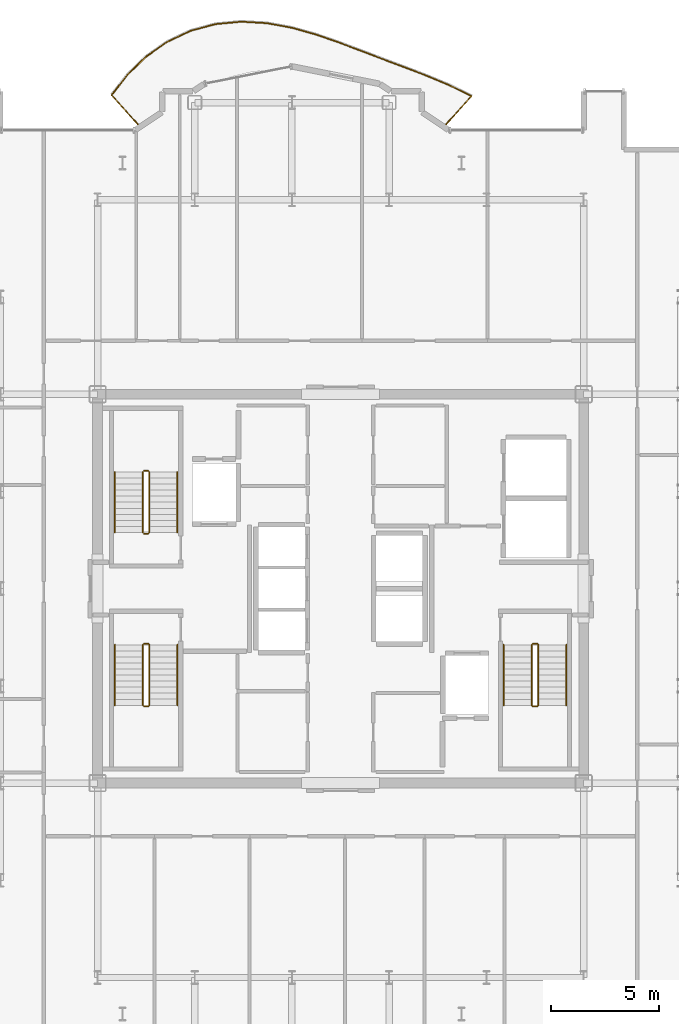
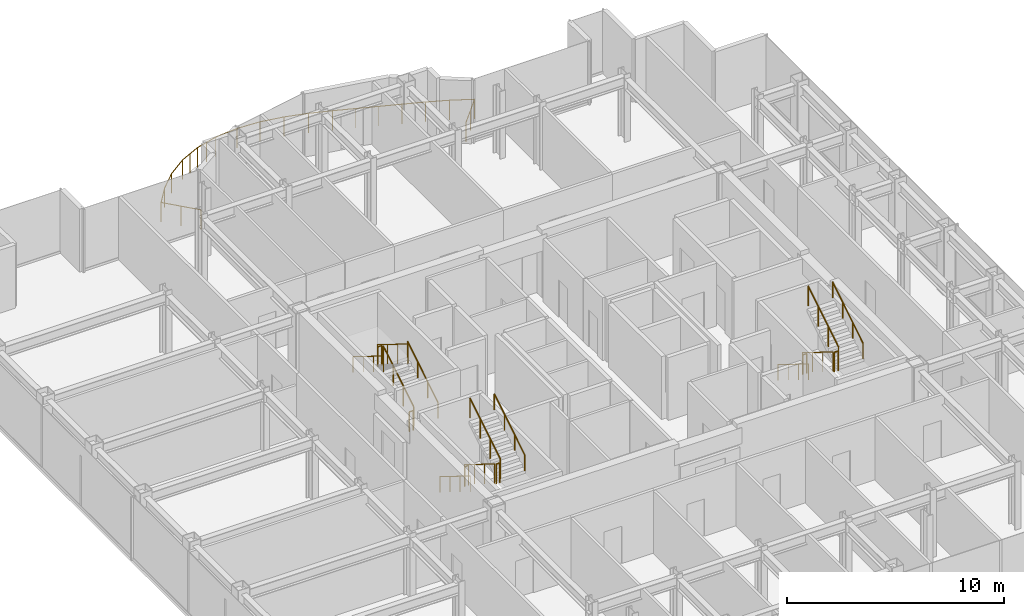
# One storey, part 18 of 18: 19 railings.
"""IFC4 building model written with IfcOpenShell, lengths in metres."""

from ifc_helpers import new_model, si_unit, direction, frame, origin, origin_2d, place, context, subcontext, project, spatial, circle, extrude, material, type_object, element, save


model = new_model("IFC4")

# Units and contexts
model_context = context("Model", 3, precision=1e-05, world=origin(), true_north=direction((0.0, 1.0)))
body_context = subcontext(model_context, "Body", "Model", "MODEL_VIEW")
ifc_project = project(units=[si_unit("LENGTHUNIT", "METRE"), si_unit("AREAUNIT", "SQUARE_METRE"), si_unit("VOLUMEUNIT", "CUBIC_METRE"), si_unit("PLANEANGLEUNIT", "RADIAN"), si_unit("MASSUNIT", "GRAM", prefix="KILO")], contexts=[model_context])

# Site, building, storey
site_placement = place(None, origin())
site = spatial("IfcSite", under=ifc_project, at=site_placement, CompositionType="ELEMENT")
building_placement = place(site_placement, origin())
building = spatial("IfcBuilding", under=site, at=building_placement, Name="Nefas-Gora Pilgrimage Tower", CompositionType="ELEMENT")
storey_placement = place(building_placement, frame((0.0, 0.0, 283.60009765625)))
storey = spatial("IfcBuildingStorey", under=building, at=storey_placement, Name="L71", CompositionType="ELEMENT", Elevation=283.60009765625)

# Railings
ifc_material_1 = material(Name="Laminated safety glass and stainless steel", Category="steel")
railing_type_1 = type_object("IfcRailingType", Name="RLG-BAL-1100", PredefinedType="BALUSTRADE", material=ifc_material_1)
railing_1_placement = place(storey_placement, frame((4.802490234375, 21.402587890625, 0.0)))
element("IfcRailing", 1, at=railing_1_placement, inside=storey, type_object=railing_type_1, Name="L71 Wave Balcony Balustrade N1", PredefinedType="BALUSTRADE", context=body_context, shape_type="SweptSolid", body=[
    extrude(circle(Radius=0.02392578125, at=origin_2d()), frame((0.0, 0.0, 1.09619140625), z_axis=(0.669129721026, 0.743145622634, 0.0), x_axis=(-0.743145622634, 0.669129721026, 0.0)), (0.0, 0.0, 1.0), 1.880126953125),
    extrude(circle(Radius=0.02392578125, at=origin_2d()), frame((1.258056640625, 1.397216796875, 1.09619140625), z_axis=(-0.897530866126, 0.440951634934, 0.0), x_axis=(-0.440951634934, -0.897530866126, 0.0)), (0.0, 0.0, 1.0), 1.156005859375),
    extrude(circle(Radius=0.02392578125, at=origin_2d()), frame((0.220458984375, 1.906982421875, 1.09619140625), z_axis=(-0.923243625246, 0.38421505494, 0.0), x_axis=(-0.38421505494, -0.923243625246, 0.0)), (0.0, 0.0, 1.0), 1.1259765625),
    extrude(circle(Radius=0.02392578125, at=origin_2d()), frame((-0.819091796875, 2.339599609375, 1.09619140625), z_axis=(-0.934374803471, 0.356291631447, 0.0), x_axis=(-0.356291631447, -0.934374803471, 0.0)), (0.0, 0.0, 1.0), 1.096435546875),
    extrude(circle(Radius=0.02392578125, at=origin_2d()), frame((-1.843505859375, 2.730224609375, 1.09619140625), z_axis=(-0.936142832811, 0.351619960436, 0.0), x_axis=(-0.351619960436, -0.936142832811, 0.0)), (0.0, 0.0, 1.0), 1.07763671875),
    extrude(circle(Radius=0.02392578125, at=origin_2d()), frame((-2.852294921875, 3.109130859375, 1.09619140625), z_axis=(-0.934584678215, 0.355740747239, 0.0), x_axis=(-0.355740747239, -0.934584678215, 0.0)), (0.0, 0.0, 1.0), 1.076904296875),
    extrude(circle(Radius=0.02392578125, at=origin_2d()), frame((-3.858642578125, 3.4921875, 1.09619140625), z_axis=(-0.935740767911, 0.352688552791, 0.0), x_axis=(-0.352688552791, -0.935740767911, 0.0)), (0.0, 0.0, 1.0), 1.09375),
    extrude(circle(Radius=0.02392578125, at=origin_2d()), frame((-4.882080078125, 3.8779296875, 1.09619140625), z_axis=(-0.944898112614, 0.327364562496, 0.0), x_axis=(-0.327364562496, -0.944898112614, 0.0)), (0.0, 0.0, 1.0), 1.122314453125),
    extrude(circle(Radius=0.02392578125, at=origin_2d()), frame((-5.942626953125, 4.245361328125, 1.09619140625), z_axis=(-0.96246102168, 0.271419936162, 0.0), x_axis=(-0.271419936162, -0.96246102168, 0.0)), (0.0, 0.0, 1.0), 1.153076171875),
    extrude(circle(Radius=0.02392578125, at=origin_2d()), frame((-7.052490234375, 4.558349609375, 1.09619140625), z_axis=(-0.983449300548, 0.181183534713, 0.0), x_axis=(-0.181183534713, -0.983449300548, 0.0)), (0.0, 0.0, 1.0), 1.177734375),
    extrude(circle(Radius=0.02392578125, at=origin_2d()), frame((-8.210693359375, 4.771728515625, 1.09619140625), z_axis=(-0.998344239726, 0.057521987157, 0.0), x_axis=(-0.057521987157, -0.998344239726, 0.0)), (0.0, 0.0, 1.0), 1.192626953125),
    extrude(circle(Radius=0.02392578125, at=origin_2d()), frame((-9.4013671875, 4.84033203125, 1.09619140625), z_axis=(-0.995583812975, -0.093876894617, 0.0), x_axis=(0.093876894617, -0.995583812975, 0.0)), (0.0, 0.0, 1.0), 1.198974609375),
    extrude(circle(Radius=0.02392578125, at=origin_2d()), frame((-10.594970703125, 4.727783203125, 1.09619140625), z_axis=(-0.965413215034, -0.260724613793, 0.0), x_axis=(0.260724613793, -0.965413215034, 0.0)), (0.0, 0.0, 1.0), 1.200439453125),
    extrude(circle(Radius=0.02392578125, at=origin_2d()), frame((-11.75390625, 4.414794921875, 1.09619140625), z_axis=(-0.904015108166, -0.427500507844, 0.0), x_axis=(0.427500507844, -0.904015108166, 0.0)), (0.0, 0.0, 1.0), 1.200439453125),
    extrude(circle(Radius=0.02392578125, at=origin_2d()), frame((-12.839111328125, 3.901611328125, 1.09619140625), z_axis=(-0.816392240184, -0.577497801007, 0.0), x_axis=(0.577497801007, -0.816392240184, 0.0)), (0.0, 0.0, 1.0), 1.19970703125),
    extrude(circle(Radius=0.02392578125, at=origin_2d()), frame((-13.818603515625, 3.208740234375, 1.09619140625), z_axis=(-0.715228965311, -0.698890211106, 0.0), x_axis=(0.698890211106, -0.715228965311, 0.0)), (0.0, 0.0, 1.0), 1.1953125),
    extrude(circle(Radius=0.02392578125, at=origin_2d()), frame((-14.673583984375, 2.373291015625, 1.09619140625), z_axis=(-0.615495930297, -0.78814006356, 0.0), x_axis=(0.78814006356, -0.615495930297, 0.0)), (0.0, 0.0, 1.0), 1.18359375),
    extrude(circle(Radius=0.02392578125, at=origin_2d()), frame((-15.402099609375, 1.4404296875, 1.09619140625), z_axis=(0.669173462492, -0.743106235404, 0.0), x_axis=(0.743106235404, 0.669173462492, 0.0)), (0.0, 0.0, 1.0), 1.9384765625),
    extrude(circle(Radius=0.02099609375, at=origin_2d()), origin(), (0.0, 0.0, 1.0), 1.072021484375),
    extrude(circle(Radius=0.02099609375, at=origin_2d()), frame((0.62890625, 0.69873046875, 0.0)), (0.0, 0.0, 1.0), 1.072021484375),
    extrude(circle(Radius=0.02099609375, at=origin_2d()), frame((1.258056640625, 1.397216796875, 0.0)), (0.0, 0.0, 1.0), 1.072021484375),
    extrude(circle(Radius=0.02099609375, at=origin_2d()), frame((0.220458984375, 1.906982421875, 0.0)), (0.0, 0.0, 1.0), 1.072021484375),
    extrude(circle(Radius=0.02099609375, at=origin_2d()), frame((-0.819091796875, 2.339599609375, 0.0)), (0.0, 0.0, 1.0), 1.072021484375),
    extrude(circle(Radius=0.02099609375, at=origin_2d()), frame((-1.843505859375, 2.730224609375, 0.0)), (0.0, 0.0, 1.0), 1.072021484375),
    extrude(circle(Radius=0.02099609375, at=origin_2d()), frame((-2.852294921875, 3.109130859375, 0.0)), (0.0, 0.0, 1.0), 1.072021484375),
    extrude(circle(Radius=0.02099609375, at=origin_2d()), frame((-3.858642578125, 3.4921875, 0.0)), (0.0, 0.0, 1.0), 1.072021484375),
    extrude(circle(Radius=0.02099609375, at=origin_2d()), frame((-4.882080078125, 3.8779296875, 0.0)), (0.0, 0.0, 1.0), 1.072021484375),
    extrude(circle(Radius=0.02099609375, at=origin_2d()), frame((-5.942626953125, 4.245361328125, 0.0)), (0.0, 0.0, 1.0), 1.072021484375),
    extrude(circle(Radius=0.02099609375, at=origin_2d()), frame((-7.052490234375, 4.558349609375, 0.0)), (0.0, 0.0, 1.0), 1.072021484375),
    extrude(circle(Radius=0.02099609375, at=origin_2d()), frame((-8.210693359375, 4.771728515625, 0.0)), (0.0, 0.0, 1.0), 1.072021484375),
    extrude(circle(Radius=0.02099609375, at=origin_2d()), frame((-9.4013671875, 4.84033203125, 0.0)), (0.0, 0.0, 1.0), 1.072021484375),
    extrude(circle(Radius=0.02099609375, at=origin_2d()), frame((-10.594970703125, 4.727783203125, 0.0)), (0.0, 0.0, 1.0), 1.072021484375),
    extrude(circle(Radius=0.02099609375, at=origin_2d()), frame((-11.17431640625, 4.5712890625, 0.0)), (0.0, 0.0, 1.0), 1.072021484375),
    extrude(circle(Radius=0.02099609375, at=origin_2d()), frame((-11.75390625, 4.414794921875, 0.0)), (0.0, 0.0, 1.0), 1.072021484375),
    extrude(circle(Radius=0.02099609375, at=origin_2d()), frame((-12.29638671875, 4.158203125, 0.0)), (0.0, 0.0, 1.0), 1.072021484375),
    extrude(circle(Radius=0.02099609375, at=origin_2d()), frame((-12.839111328125, 3.901611328125, 0.0)), (0.0, 0.0, 1.0), 1.072021484375),
    extrude(circle(Radius=0.02099609375, at=origin_2d()), frame((-13.818603515625, 3.208740234375, 0.0)), (0.0, 0.0, 1.0), 1.072021484375),
    extrude(circle(Radius=0.02099609375, at=origin_2d()), frame((-14.673583984375, 2.373291015625, 0.0)), (0.0, 0.0, 1.0), 1.072021484375),
    extrude(circle(Radius=0.02099609375, at=origin_2d()), frame((-15.402099609375, 1.4404296875, 0.0)), (0.0, 0.0, 1.0), 1.072021484375),
    extrude(circle(Radius=0.02099609375, at=origin_2d()), frame((-14.75341796875, 0.72021484375, 0.0)), (0.0, 0.0, 1.0), 1.072021484375),
    extrude(circle(Radius=0.02099609375, at=origin_2d()), frame((-14.10498046875, 0.0, 0.0)), (0.0, 0.0, 1.0), 1.072021484375),
])
ifc_material_2 = material(Name="Painted galvanised steel", Category="steel")
railing_type_2 = type_object("IfcRailingType", Name="RLG-STR-GUARD-1100", PredefinedType="GUARDRAIL", material=ifc_material_2)
railing_2_placement = place(storey_placement, frame((-8.85009765625, 2.60009765625, 0.172607421875)))
element("IfcRailing", 2, at=railing_2_placement, inside=storey, type_object=railing_type_2, Name="L71 ST-01 stair guard 1", PredefinedType="GUARDRAIL", context=body_context, shape_type="SweptSolid", body=[
    extrude(circle(Radius=0.02392578125, at=origin_2d()), frame((0.0, 0.0, 1.09619140625), z_axis=(0.0, 0.851069175582, 0.525053576669), x_axis=(-1.0, 0.0, 0.0)), (0.0, 0.0, 1.0), 3.289794921875),
    extrude(circle(Radius=0.02099609375, at=origin_2d()), origin(), (0.0, 0.0, 1.0), 1.072021484375),
    extrude(circle(Radius=0.02099609375, at=origin_2d()), frame((0.0, 0.933349609375, 0.57568359375)), (0.0, 0.0, 1.0), 1.072021484375),
    extrude(circle(Radius=0.02099609375, at=origin_2d()), frame((0.0, 1.866455078125, 1.151611328125)), (0.0, 0.0, 1.0), 1.072021484375),
    extrude(circle(Radius=0.02099609375, at=origin_2d()), frame((0.0, 2.7998046875, 1.727294921875)), (0.0, 0.0, 1.0), 1.072021484375),
])
railing_3_placement = place(storey_placement, frame((-8.89990234375, 5.449951171875, 1.89990234375)))
element("IfcRailing", 3, at=railing_3_placement, inside=storey, type_object=railing_type_2, Name="L71 ST-01 stair guard 2", PredefinedType="GUARDRAIL", context=body_context, shape_type="SweptSolid", body=[
    extrude(circle(Radius=0.02392578125, at=origin_2d()), frame((0.0, 0.0, 1.09619140625), z_axis=(-1.0, 0.0, 0.0), x_axis=(0.0, -1.0, 0.0)), (0.0, 0.0, 1.0), 0.2001953125),
    extrude(circle(Radius=0.02099609375, at=origin_2d()), origin(), (0.0, 0.0, 1.0), 1.072021484375),
    extrude(circle(Radius=0.02099609375, at=origin_2d()), frame((-0.2001953125, 0.0, 0.0)), (0.0, 0.0, 1.0), 1.072021484375),
])
railing_4_placement = place(storey_placement, frame((-9.14990234375, 5.39990234375, 2.072509765625)))
element("IfcRailing", 4, at=railing_4_placement, inside=storey, type_object=railing_type_2, Name="L71 ST-01 stair guard 3", PredefinedType="GUARDRAIL", context=body_context, shape_type="SweptSolid", body=[
    extrude(circle(Radius=0.02392578125, at=origin_2d()), frame((0.0, 0.0, 1.09619140625), z_axis=(0.0, -0.851069175582, 0.525053576669), x_axis=(1.0, 0.0, 0.0)), (0.0, 0.0, 1.0), 3.289794921875),
    extrude(circle(Radius=0.02099609375, at=origin_2d()), origin(), (0.0, 0.0, 1.0), 1.072021484375),
    extrude(circle(Radius=0.02099609375, at=origin_2d()), frame((0.0, -0.933349609375, 0.57568359375)), (0.0, 0.0, 1.0), 1.072021484375),
    extrude(circle(Radius=0.02099609375, at=origin_2d()), frame((0.0, -1.866455078125, 1.151611328125)), (0.0, 0.0, 1.0), 1.072021484375),
    extrude(circle(Radius=0.02099609375, at=origin_2d()), frame((0.0, -2.7998046875, 1.727294921875)), (0.0, 0.0, 1.0), 1.072021484375),
])
railing_5_placement = place(storey_placement, frame((-8.89990234375, 2.550048828125, 0.0)))
element("IfcRailing", 5, at=railing_5_placement, inside=storey, type_object=railing_type_2, Name="L71 ST-01 stair guard 4", PredefinedType="GUARDRAIL", context=body_context, shape_type="SweptSolid", body=[
    extrude(circle(Radius=0.02392578125, at=origin_2d()), frame((0.0, 0.0, 1.09619140625), z_axis=(-1.0, 0.0, 0.0), x_axis=(0.0, -1.0, 0.0)), (0.0, 0.0, 1.0), 0.2001953125),
    extrude(circle(Radius=0.02099609375, at=origin_2d()), origin(), (0.0, 0.0, 1.0), 1.072021484375),
    extrude(circle(Radius=0.02099609375, at=origin_2d()), frame((-0.2001953125, 0.0, 0.0)), (0.0, 0.0, 1.0), 1.072021484375),
])
railing_6_placement = place(storey_placement, frame((8.85009765625, -2.60009765625, 0.172607421875)))
element("IfcRailing", 6, at=railing_6_placement, inside=storey, type_object=railing_type_2, Name="L71 ST-02 stair guard 1", PredefinedType="GUARDRAIL", context=body_context, shape_type="SweptSolid", body=[
    extrude(circle(Radius=0.02392578125, at=origin_2d()), frame((0.0, 0.0, 1.09619140625), z_axis=(0.0, -0.851069175582, 0.525053576669), x_axis=(1.0, 0.0, 0.0)), (0.0, 0.0, 1.0), 3.289794921875),
    extrude(circle(Radius=0.02099609375, at=origin_2d()), origin(), (0.0, 0.0, 1.0), 1.072021484375),
    extrude(circle(Radius=0.02099609375, at=origin_2d()), frame((0.0, -0.933349609375, 0.57568359375)), (0.0, 0.0, 1.0), 1.072021484375),
    extrude(circle(Radius=0.02099609375, at=origin_2d()), frame((0.0, -1.866455078125, 1.151611328125)), (0.0, 0.0, 1.0), 1.072021484375),
    extrude(circle(Radius=0.02099609375, at=origin_2d()), frame((0.0, -2.7998046875, 1.727294921875)), (0.0, 0.0, 1.0), 1.072021484375),
])
railing_7_placement = place(storey_placement, frame((8.89990234375, -5.449951171875, 1.89990234375)))
element("IfcRailing", 7, at=railing_7_placement, inside=storey, type_object=railing_type_2, Name="L71 ST-02 stair guard 2", PredefinedType="GUARDRAIL", context=body_context, shape_type="SweptSolid", body=[
    extrude(circle(Radius=0.02392578125, at=origin_2d()), frame((0.0, 0.0, 1.09619140625), z_axis=(1.0, 0.0, 0.0), x_axis=(0.0, 1.0, 0.0)), (0.0, 0.0, 1.0), 0.2001953125),
    extrude(circle(Radius=0.02099609375, at=origin_2d()), origin(), (0.0, 0.0, 1.0), 1.072021484375),
    extrude(circle(Radius=0.02099609375, at=origin_2d()), frame((0.2001953125, 0.0, 0.0)), (0.0, 0.0, 1.0), 1.072021484375),
])
railing_8_placement = place(storey_placement, frame((9.14990234375, -5.39990234375, 2.072509765625)))
element("IfcRailing", 8, at=railing_8_placement, inside=storey, type_object=railing_type_2, Name="L71 ST-02 stair guard 3", PredefinedType="GUARDRAIL", context=body_context, shape_type="SweptSolid", body=[
    extrude(circle(Radius=0.02392578125, at=origin_2d()), frame((0.0, 0.0, 1.09619140625), z_axis=(0.0, 0.851069175582, 0.525053576669), x_axis=(-1.0, 0.0, 0.0)), (0.0, 0.0, 1.0), 3.289794921875),
    extrude(circle(Radius=0.02099609375, at=origin_2d()), origin(), (0.0, 0.0, 1.0), 1.072021484375),
    extrude(circle(Radius=0.02099609375, at=origin_2d()), frame((0.0, 0.933349609375, 0.57568359375)), (0.0, 0.0, 1.0), 1.072021484375),
    extrude(circle(Radius=0.02099609375, at=origin_2d()), frame((0.0, 1.866455078125, 1.151611328125)), (0.0, 0.0, 1.0), 1.072021484375),
    extrude(circle(Radius=0.02099609375, at=origin_2d()), frame((0.0, 2.7998046875, 1.727294921875)), (0.0, 0.0, 1.0), 1.072021484375),
])
railing_9_placement = place(storey_placement, frame((8.89990234375, -2.550048828125, 0.0)))
element("IfcRailing", 9, at=railing_9_placement, inside=storey, type_object=railing_type_2, Name="L71 ST-02 stair guard 4", PredefinedType="GUARDRAIL", context=body_context, shape_type="SweptSolid", body=[
    extrude(circle(Radius=0.02392578125, at=origin_2d()), frame((0.0, 0.0, 1.09619140625), z_axis=(1.0, 0.0, 0.0), x_axis=(0.0, 1.0, 0.0)), (0.0, 0.0, 1.0), 0.2001953125),
    extrude(circle(Radius=0.02099609375, at=origin_2d()), origin(), (0.0, 0.0, 1.0), 1.072021484375),
    extrude(circle(Radius=0.02099609375, at=origin_2d()), frame((0.2001953125, 0.0, 0.0)), (0.0, 0.0, 1.0), 1.072021484375),
])
railing_10_placement = place(storey_placement, frame((-9.14990234375, -2.60009765625, 0.172607421875)))
element("IfcRailing", 10, at=railing_10_placement, inside=storey, type_object=railing_type_2, Name="L71 ST-03 stair guard 1", PredefinedType="GUARDRAIL", context=body_context, shape_type="SweptSolid", body=[
    extrude(circle(Radius=0.02392578125, at=origin_2d()), frame((0.0, 0.0, 1.09619140625), z_axis=(0.0, -0.851069175582, 0.525053576669), x_axis=(1.0, 0.0, 0.0)), (0.0, 0.0, 1.0), 3.289794921875),
    extrude(circle(Radius=0.02099609375, at=origin_2d()), origin(), (0.0, 0.0, 1.0), 1.072021484375),
    extrude(circle(Radius=0.02099609375, at=origin_2d()), frame((0.0, -0.933349609375, 0.57568359375)), (0.0, 0.0, 1.0), 1.072021484375),
    extrude(circle(Radius=0.02099609375, at=origin_2d()), frame((0.0, -1.866455078125, 1.151611328125)), (0.0, 0.0, 1.0), 1.072021484375),
    extrude(circle(Radius=0.02099609375, at=origin_2d()), frame((0.0, -2.7998046875, 1.727294921875)), (0.0, 0.0, 1.0), 1.072021484375),
])
railing_11_placement = place(storey_placement, frame((-9.10009765625, -5.449951171875, 1.89990234375)))
element("IfcRailing", 11, at=railing_11_placement, inside=storey, type_object=railing_type_2, Name="L71 ST-03 stair guard 2", PredefinedType="GUARDRAIL", context=body_context, shape_type="SweptSolid", body=[
    extrude(circle(Radius=0.02392578125, at=origin_2d()), frame((0.0, 0.0, 1.09619140625), z_axis=(1.0, 0.0, 0.0), x_axis=(0.0, 1.0, 0.0)), (0.0, 0.0, 1.0), 0.2001953125),
    extrude(circle(Radius=0.02099609375, at=origin_2d()), origin(), (0.0, 0.0, 1.0), 1.072021484375),
    extrude(circle(Radius=0.02099609375, at=origin_2d()), frame((0.2001953125, 0.0, 0.0)), (0.0, 0.0, 1.0), 1.072021484375),
])
railing_12_placement = place(storey_placement, frame((-8.85009765625, -5.39990234375, 2.072509765625)))
element("IfcRailing", 12, at=railing_12_placement, inside=storey, type_object=railing_type_2, Name="L71 ST-03 stair guard 3", PredefinedType="GUARDRAIL", context=body_context, shape_type="SweptSolid", body=[
    extrude(circle(Radius=0.02392578125, at=origin_2d()), frame((0.0, 0.0, 1.09619140625), z_axis=(0.0, 0.851069175582, 0.525053576669), x_axis=(-1.0, 0.0, 0.0)), (0.0, 0.0, 1.0), 3.289794921875),
    extrude(circle(Radius=0.02099609375, at=origin_2d()), origin(), (0.0, 0.0, 1.0), 1.072021484375),
    extrude(circle(Radius=0.02099609375, at=origin_2d()), frame((0.0, 0.933349609375, 0.57568359375)), (0.0, 0.0, 1.0), 1.072021484375),
    extrude(circle(Radius=0.02099609375, at=origin_2d()), frame((0.0, 1.866455078125, 1.151611328125)), (0.0, 0.0, 1.0), 1.072021484375),
    extrude(circle(Radius=0.02099609375, at=origin_2d()), frame((0.0, 2.7998046875, 1.727294921875)), (0.0, 0.0, 1.0), 1.072021484375),
])
railing_13_placement = place(storey_placement, frame((-9.10009765625, -2.550048828125, 0.0)))
element("IfcRailing", 13, at=railing_13_placement, inside=storey, type_object=railing_type_2, Name="L71 ST-03 stair guard 4", PredefinedType="GUARDRAIL", context=body_context, shape_type="SweptSolid", body=[
    extrude(circle(Radius=0.02392578125, at=origin_2d()), frame((0.0, 0.0, 1.09619140625), z_axis=(1.0, 0.0, 0.0), x_axis=(0.0, 1.0, 0.0)), (0.0, 0.0, 1.0), 0.2001953125),
    extrude(circle(Radius=0.02099609375, at=origin_2d()), origin(), (0.0, 0.0, 1.0), 1.072021484375),
    extrude(circle(Radius=0.02099609375, at=origin_2d()), frame((0.2001953125, 0.0, 0.0)), (0.0, 0.0, 1.0), 1.072021484375),
])
ifc_material_3 = material(Name="Brushed stainless steel", Category="steel")
railing_type_3 = type_object("IfcRailingType", Name="RLG-STR-HAND-900", PredefinedType="HANDRAIL", material=ifc_material_3)
railing_14_placement = place(storey_placement, frame((-7.550048828125, 2.60009765625, 0.172607421875)))
element("IfcRailing", 14, at=railing_14_placement, inside=storey, type_object=railing_type_3, Name="L71 ST-01 stair handrail 1", PredefinedType="HANDRAIL", context=body_context, shape_type="SweptSolid", body=[
    extrude(circle(Radius=0.02392578125, at=origin_2d()), frame((0.0, 0.0, 0.8759765625), z_axis=(0.0, 0.851069175582, 0.525053576669), x_axis=(-1.0, 0.0, 0.0)), (0.0, 0.0, 1.0), 3.289794921875),
    extrude(circle(Radius=0.02099609375, at=origin_2d()), origin(), (0.0, 0.0, 1.0), 0.851806640625),
    extrude(circle(Radius=0.02099609375, at=origin_2d()), frame((0.0, 0.933349609375, 0.57568359375)), (0.0, 0.0, 1.0), 0.851806640625),
    extrude(circle(Radius=0.02099609375, at=origin_2d()), frame((0.0, 1.866455078125, 1.151611328125)), (0.0, 0.0, 1.0), 0.851806640625),
    extrude(circle(Radius=0.02099609375, at=origin_2d()), frame((0.0, 2.7998046875, 1.727294921875)), (0.0, 0.0, 1.0), 0.851806640625),
])
for number, where, name in (
    (15, (-10.449951171875, 5.39990234375, 2.072509765625), "L71 ST-01 stair handrail 2"),
    (16, (7.550048828125, -2.60009765625, 0.172607421875), "L71 ST-02 stair handrail 1"),
):
    element("IfcRailing", number, at=place(storey_placement, frame(where)), inside=storey, type_object=railing_type_3, Name=name, PredefinedType="HANDRAIL", context=body_context, shape_type="SweptSolid", body=[
        extrude(circle(Radius=0.02392578125, at=origin_2d()), frame((0.0, 0.0, 0.8759765625), z_axis=(0.0, -0.851069175582, 0.525053576669), x_axis=(1.0, 0.0, 0.0)), (0.0, 0.0, 1.0), 3.289794921875),
        extrude(circle(Radius=0.02099609375, at=origin_2d()), origin(), (0.0, 0.0, 1.0), 0.851806640625),
        extrude(circle(Radius=0.02099609375, at=origin_2d()), frame((0.0, -0.933349609375, 0.57568359375)), (0.0, 0.0, 1.0), 0.851806640625),
        extrude(circle(Radius=0.02099609375, at=origin_2d()), frame((0.0, -1.866455078125, 1.151611328125)), (0.0, 0.0, 1.0), 0.851806640625),
        extrude(circle(Radius=0.02099609375, at=origin_2d()), frame((0.0, -2.7998046875, 1.727294921875)), (0.0, 0.0, 1.0), 0.851806640625),
    ])
railing_15_placement = place(storey_placement, frame((10.449951171875, -5.39990234375, 2.072509765625)))
element("IfcRailing", 17, at=railing_15_placement, inside=storey, type_object=railing_type_3, Name="L71 ST-02 stair handrail 2", PredefinedType="HANDRAIL", context=body_context, shape_type="SweptSolid", body=[
    extrude(circle(Radius=0.02392578125, at=origin_2d()), frame((0.0, 0.0, 0.8759765625), z_axis=(0.0, 0.851069175582, 0.525053576669), x_axis=(-1.0, 0.0, 0.0)), (0.0, 0.0, 1.0), 3.289794921875),
    extrude(circle(Radius=0.02099609375, at=origin_2d()), origin(), (0.0, 0.0, 1.0), 0.851806640625),
    extrude(circle(Radius=0.02099609375, at=origin_2d()), frame((0.0, 0.933349609375, 0.57568359375)), (0.0, 0.0, 1.0), 0.851806640625),
    extrude(circle(Radius=0.02099609375, at=origin_2d()), frame((0.0, 1.866455078125, 1.151611328125)), (0.0, 0.0, 1.0), 0.851806640625),
    extrude(circle(Radius=0.02099609375, at=origin_2d()), frame((0.0, 2.7998046875, 1.727294921875)), (0.0, 0.0, 1.0), 0.851806640625),
])
railing_16_placement = place(storey_placement, frame((-10.449951171875, -2.60009765625, 0.172607421875)))
element("IfcRailing", 18, at=railing_16_placement, inside=storey, type_object=railing_type_3, Name="L71 ST-03 stair handrail 1", PredefinedType="HANDRAIL", context=body_context, shape_type="SweptSolid", body=[
    extrude(circle(Radius=0.02392578125, at=origin_2d()), frame((0.0, 0.0, 0.8759765625), z_axis=(0.0, -0.851069175582, 0.525053576669), x_axis=(1.0, 0.0, 0.0)), (0.0, 0.0, 1.0), 3.289794921875),
    extrude(circle(Radius=0.02099609375, at=origin_2d()), origin(), (0.0, 0.0, 1.0), 0.851806640625),
    extrude(circle(Radius=0.02099609375, at=origin_2d()), frame((0.0, -0.933349609375, 0.57568359375)), (0.0, 0.0, 1.0), 0.851806640625),
    extrude(circle(Radius=0.02099609375, at=origin_2d()), frame((0.0, -1.866455078125, 1.151611328125)), (0.0, 0.0, 1.0), 0.851806640625),
    extrude(circle(Radius=0.02099609375, at=origin_2d()), frame((0.0, -2.7998046875, 1.727294921875)), (0.0, 0.0, 1.0), 0.851806640625),
])
railing_17_placement = place(storey_placement, frame((-7.550048828125, -5.39990234375, 2.072509765625)))
element("IfcRailing", 19, at=railing_17_placement, inside=storey, type_object=railing_type_3, Name="L71 ST-03 stair handrail 2", PredefinedType="HANDRAIL", context=body_context, shape_type="SweptSolid", body=[
    extrude(circle(Radius=0.02392578125, at=origin_2d()), frame((0.0, 0.0, 0.8759765625), z_axis=(0.0, 0.851069175582, 0.525053576669), x_axis=(-1.0, 0.0, 0.0)), (0.0, 0.0, 1.0), 3.289794921875),
    extrude(circle(Radius=0.02099609375, at=origin_2d()), origin(), (0.0, 0.0, 1.0), 0.851806640625),
    extrude(circle(Radius=0.02099609375, at=origin_2d()), frame((0.0, 0.933349609375, 0.57568359375)), (0.0, 0.0, 1.0), 0.851806640625),
    extrude(circle(Radius=0.02099609375, at=origin_2d()), frame((0.0, 1.866455078125, 1.151611328125)), (0.0, 0.0, 1.0), 0.851806640625),
    extrude(circle(Radius=0.02099609375, at=origin_2d()), frame((0.0, 2.7998046875, 1.727294921875)), (0.0, 0.0, 1.0), 0.851806640625),
])

save(model, "model.ifc")
